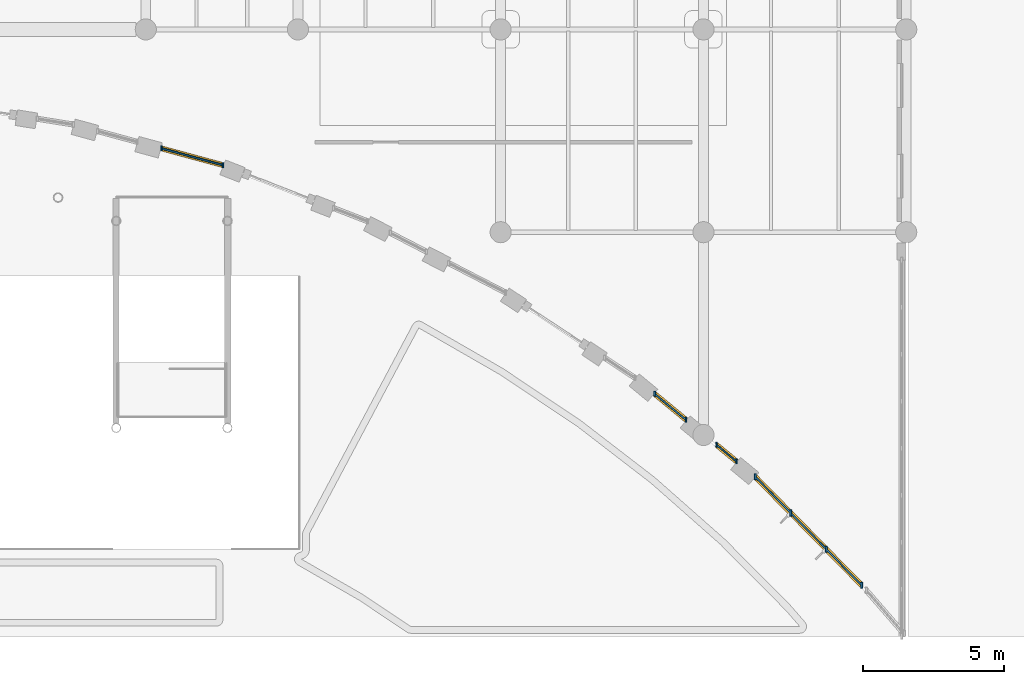
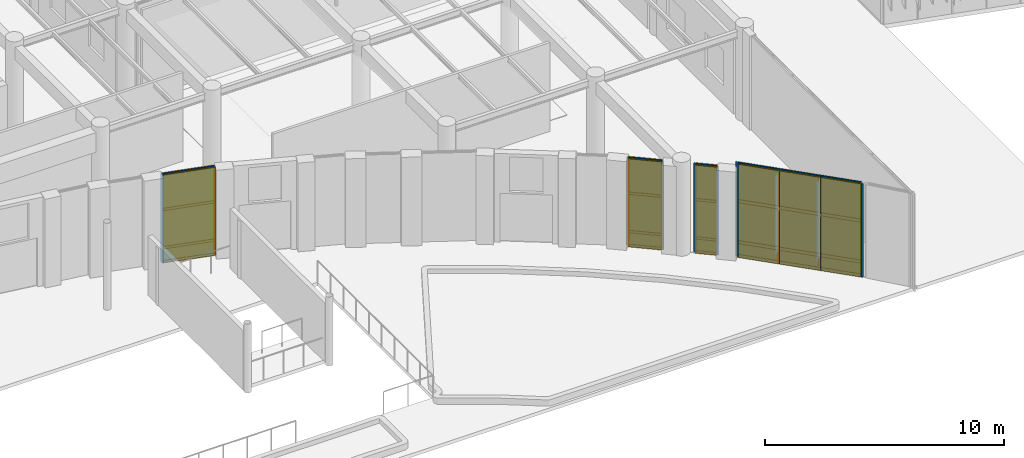
# One storey, part 78 of 122: 34 members, 18 plates, 4 curtain walls.
"""IFC4 building model written with IfcOpenShell, lengths in metres."""

from ifc_helpers import new_model, si_unit, direction, frame, frame_2d, origin, origin_2d, place, context, subcontext, project, spatial, rectangle, extrude, material, layer, layer_set, material_profile, profile_set, type_object, element, aggregate, save


model = new_model("IFC4")

# Units and contexts
model_context = context("Model", 3, precision=1e-05, world=origin(), true_north=direction((0.0, 1.0)))
body_context = subcontext(model_context, "Body", "Model", "MODEL_VIEW")
ifc_project = project(units=[si_unit("LENGTHUNIT", "METRE"), si_unit("AREAUNIT", "SQUARE_METRE"), si_unit("VOLUMEUNIT", "CUBIC_METRE"), si_unit("PLANEANGLEUNIT", "RADIAN"), si_unit("MASSUNIT", "GRAM", prefix="KILO")], contexts=[model_context])

# Member
ifc_material_1 = material(Name="Anodised Bronze Aluminium 6063-T6", Category="aluminium")
ifc_material_profile_1 = material_profile(ifc_material_1, rectangle(XDim=0.070068359375, YDim=0.219970703125, at=origin_2d()), Name="ALU MULLION 70x220")
ifc_profile_set_1 = profile_set([ifc_material_profile_1], Name="Anodised Bronze Aluminium 6063-T6")
member_type_1 = type_object("IfcMemberType", Name="Curtain-Wall Heavy Mullion 70x220", PredefinedType="MULLION", material=ifc_profile_set_1)
site_placement = place(None, origin())
building_placement = place(site_placement, origin())
storey_placement = place(building_placement, origin())
member_1_placement = place(storey_placement, frame((111.641845703125, 7.11328125, 0.0), z_axis=(0.0, 0.0, 1.0), x_axis=(1.0, 0.0, 0.0)))
member_1 = element("IfcMember", 1, at=member_1_placement, type_object=member_type_1, Name="Mullion CWM-02 CW-V5-CRN-L00-C17-M01", PredefinedType="MULLION", context=body_context, shape_type="SweptSolid", body=[
    extrude(rectangle(XDim=0.070068359375, YDim=0.219970703125, at=origin_2d()), origin(), (0.0, 0.0, 1.0), 4.780029296875),
])

member_2_placement = place(storey_placement, frame((112.89990234375, 5.830810546875, 0.0), z_axis=(0.0, 0.0, 1.0), x_axis=(1.0, 0.0, 0.0)))
member_2 = element("IfcMember", 2, at=member_2_placement, type_object=member_type_1, Name="Mullion CWM-02 CW-V5-CRN-L00-C17-M02", PredefinedType="MULLION", context=body_context, shape_type="SweptSolid", body=[
    extrude(rectangle(XDim=0.070068359375, YDim=0.219970703125, at=origin_2d()), origin(), (0.0, 0.0, 1.0), 4.780029296875),
])

member_3_placement = place(storey_placement, frame((114.157958984375, 4.548095703125, 0.0), z_axis=(0.0, 0.0, 1.0), x_axis=(1.0, 0.0, 0.0)))
member_3 = element("IfcMember", 3, at=member_3_placement, type_object=member_type_1, Name="Mullion CWM-02 CW-V5-CRN-L00-C17-M03", PredefinedType="MULLION", context=body_context, shape_type="SweptSolid", body=[
    extrude(rectangle(XDim=0.070068359375, YDim=0.219970703125, at=origin_2d()), origin(), (0.0, 0.0, 1.0), 4.780029296875),
])

member_4_placement = place(storey_placement, frame((115.416015625, 3.265380859375, 0.0), z_axis=(0.0, 0.0, 1.0), x_axis=(1.0, 0.0, 0.0)))
member_4 = element("IfcMember", 4, at=member_4_placement, type_object=member_type_1, Name="Mullion CWM-02 CW-V5-CRN-L00-C17-M04", PredefinedType="MULLION", context=body_context, shape_type="SweptSolid", body=[
    extrude(rectangle(XDim=0.070068359375, YDim=0.219970703125, at=origin_2d()), origin(), (0.0, 0.0, 1.0), 4.780029296875),
])

ifc_material_profile_2 = material_profile(ifc_material_1, rectangle(XDim=0.06005859375, YDim=0.159912109375, at=origin_2d()), Name="ALU TRANSOM 60x160")
ifc_profile_set_2 = profile_set([ifc_material_profile_2], Name="Anodised Bronze Aluminium 6063-T6")
member_type_2 = type_object("IfcMemberType", Name="Curtain-Wall Heavy Transom 60x160", PredefinedType="USERDEFINED", material=ifc_profile_set_2)
member_5_placement = place(storey_placement, frame((111.666259765625, 7.08837890625, 0.0400390625), z_axis=(0.700287657852, -0.713860768119, 0.0), x_axis=(0.713860768119, 0.700287657852, 0.0)))
member_5 = element("IfcMember", 5, at=member_5_placement, type_object=member_type_2, Name="Transom CWT-02 CW-V5-CRN-L00-C17-T01.1", ObjectType="TRANSOM", PredefinedType="USERDEFINED", context=body_context, shape_type="SweptSolid", body=[
    extrude(rectangle(XDim=0.06005859375, YDim=0.159912109375, at=origin_2d()), origin(), (0.0, 0.0, 1.0), 1.726806640625),
])

member_6_placement = place(storey_placement, frame((111.666259765625, 7.08837890625, 0.75), z_axis=(0.700287657852, -0.713860768119, 0.0), x_axis=(0.713860768119, 0.700287657852, 0.0)))
member_6 = element("IfcMember", 6, at=member_6_placement, type_object=member_type_2, Name="Transom CWT-02 CW-V5-CRN-L00-C17-T01.2", ObjectType="TRANSOM", PredefinedType="USERDEFINED", context=body_context, shape_type="SweptSolid", body=[
    extrude(rectangle(XDim=0.06005859375, YDim=0.159912109375, at=origin_2d()), origin(), (0.0, 0.0, 1.0), 1.726806640625),
])

member_7_placement = place(storey_placement, frame((111.666259765625, 7.08837890625, 2.845703125), z_axis=(0.700287657852, -0.713860768119, 0.0), x_axis=(0.713860768119, 0.700287657852, 0.0)))
member_7 = element("IfcMember", 7, at=member_7_placement, type_object=member_type_2, Name="Transom CWT-02 CW-V5-CRN-L00-C17-T01.3", ObjectType="TRANSOM", PredefinedType="USERDEFINED", context=body_context, shape_type="SweptSolid", body=[
    extrude(rectangle(XDim=0.06005859375, YDim=0.159912109375, at=origin_2d()), origin(), (0.0, 0.0, 1.0), 1.726806640625),
])

member_8_placement = place(storey_placement, frame((111.666259765625, 7.08837890625, 4.739990234375), z_axis=(0.700287657852, -0.713860768119, 0.0), x_axis=(0.713860768119, 0.700287657852, 0.0)))
member_8 = element("IfcMember", 8, at=member_8_placement, type_object=member_type_2, Name="Transom CWT-02 CW-V5-CRN-L00-C17-T01.4", ObjectType="TRANSOM", PredefinedType="USERDEFINED", context=body_context, shape_type="SweptSolid", body=[
    extrude(rectangle(XDim=0.06005859375, YDim=0.159912109375, at=origin_2d()), origin(), (0.0, 0.0, 1.0), 1.726806640625),
])

member_9_placement = place(storey_placement, frame((112.92431640625, 5.8056640625, 0.0400390625), z_axis=(0.700215596953, -0.71393145174, 0.0), x_axis=(0.71393145174, 0.700215596953, 0.0)))
member_9 = element("IfcMember", 9, at=member_9_placement, type_object=member_type_2, Name="Transom CWT-02 CW-V5-CRN-L00-C17-T02.1", ObjectType="TRANSOM", PredefinedType="USERDEFINED", context=body_context, shape_type="SweptSolid", body=[
    extrude(rectangle(XDim=0.06005859375, YDim=0.159912109375, at=origin_2d()), origin(), (0.0, 0.0, 1.0), 1.7265625),
])

member_10_placement = place(storey_placement, frame((112.92431640625, 5.8056640625, 0.75), z_axis=(0.700215596953, -0.71393145174, 0.0), x_axis=(0.71393145174, 0.700215596953, 0.0)))
member_10 = element("IfcMember", 10, at=member_10_placement, type_object=member_type_2, Name="Transom CWT-02 CW-V5-CRN-L00-C17-T02.2", ObjectType="TRANSOM", PredefinedType="USERDEFINED", context=body_context, shape_type="SweptSolid", body=[
    extrude(rectangle(XDim=0.06005859375, YDim=0.159912109375, at=origin_2d()), origin(), (0.0, 0.0, 1.0), 1.7265625),
])

member_11_placement = place(storey_placement, frame((112.92431640625, 5.8056640625, 2.845703125), z_axis=(0.700215596953, -0.71393145174, 0.0), x_axis=(0.71393145174, 0.700215596953, 0.0)))
member_11 = element("IfcMember", 11, at=member_11_placement, type_object=member_type_2, Name="Transom CWT-02 CW-V5-CRN-L00-C17-T02.3", ObjectType="TRANSOM", PredefinedType="USERDEFINED", context=body_context, shape_type="SweptSolid", body=[
    extrude(rectangle(XDim=0.06005859375, YDim=0.159912109375, at=origin_2d()), origin(), (0.0, 0.0, 1.0), 1.7265625),
])

member_12_placement = place(storey_placement, frame((112.92431640625, 5.8056640625, 4.739990234375), z_axis=(0.700215596953, -0.71393145174, 0.0), x_axis=(0.71393145174, 0.700215596953, 0.0)))
member_12 = element("IfcMember", 12, at=member_12_placement, type_object=member_type_2, Name="Transom CWT-02 CW-V5-CRN-L00-C17-T02.4", ObjectType="TRANSOM", PredefinedType="USERDEFINED", context=body_context, shape_type="SweptSolid", body=[
    extrude(rectangle(XDim=0.06005859375, YDim=0.159912109375, at=origin_2d()), origin(), (0.0, 0.0, 1.0), 1.7265625),
])

member_13_placement = place(storey_placement, frame((114.182373046875, 4.523193359375, 0.0400390625), z_axis=(0.700287657852, -0.713860768119, 0.0), x_axis=(0.713860768119, 0.700287657852, 0.0)))
member_13 = element("IfcMember", 13, at=member_13_placement, type_object=member_type_2, Name="Transom CWT-02 CW-V5-CRN-L00-C17-T03.1", ObjectType="TRANSOM", PredefinedType="USERDEFINED", context=body_context, shape_type="SweptSolid", body=[
    extrude(rectangle(XDim=0.06005859375, YDim=0.159912109375, at=origin_2d()), origin(), (0.0, 0.0, 1.0), 1.726806640625),
])

member_14_placement = place(storey_placement, frame((114.182373046875, 4.523193359375, 0.75), z_axis=(0.700287657852, -0.713860768119, 0.0), x_axis=(0.713860768119, 0.700287657852, 0.0)))
member_14 = element("IfcMember", 14, at=member_14_placement, type_object=member_type_2, Name="Transom CWT-02 CW-V5-CRN-L00-C17-T03.2", ObjectType="TRANSOM", PredefinedType="USERDEFINED", context=body_context, shape_type="SweptSolid", body=[
    extrude(rectangle(XDim=0.06005859375, YDim=0.159912109375, at=origin_2d()), origin(), (0.0, 0.0, 1.0), 1.726806640625),
])

member_15_placement = place(storey_placement, frame((114.182373046875, 4.523193359375, 2.845703125), z_axis=(0.700287657852, -0.713860768119, 0.0), x_axis=(0.713860768119, 0.700287657852, 0.0)))
member_15 = element("IfcMember", 15, at=member_15_placement, type_object=member_type_2, Name="Transom CWT-02 CW-V5-CRN-L00-C17-T03.3", ObjectType="TRANSOM", PredefinedType="USERDEFINED", context=body_context, shape_type="SweptSolid", body=[
    extrude(rectangle(XDim=0.06005859375, YDim=0.159912109375, at=origin_2d()), origin(), (0.0, 0.0, 1.0), 1.726806640625),
])

member_16_placement = place(storey_placement, frame((114.182373046875, 4.523193359375, 4.739990234375), z_axis=(0.700287657852, -0.713860768119, 0.0), x_axis=(0.713860768119, 0.700287657852, 0.0)))
member_16 = element("IfcMember", 16, at=member_16_placement, type_object=member_type_2, Name="Transom CWT-02 CW-V5-CRN-L00-C17-T03.4", ObjectType="TRANSOM", PredefinedType="USERDEFINED", context=body_context, shape_type="SweptSolid", body=[
    extrude(rectangle(XDim=0.06005859375, YDim=0.159912109375, at=origin_2d()), origin(), (0.0, 0.0, 1.0), 1.726806640625),
])

ifc_material_profile_3 = material_profile(ifc_material_1, rectangle(XDim=0.06005859375, YDim=0.1201171875, at=origin_2d()), Name="ALU TRANSOM 60x120")
ifc_profile_set_3 = profile_set([ifc_material_profile_3], Name="Anodised Bronze Aluminium 6063-T6")
member_type_3 = type_object("IfcMemberType", Name="Curtain-Wall Light Transom 60x120", PredefinedType="USERDEFINED", material=ifc_profile_set_3)
member_17_placement = place(storey_placement, frame((90.58837890625, 18.766845703125, 0.0400390625), z_axis=(0.96508649626, -0.261931393188, 0.0), x_axis=(0.261931393188, 0.96508649626, 0.0)))
member_17 = element("IfcMember", 17, at=member_17_placement, type_object=member_type_3, Name="Transom CWT-03 CW-V5-SLOT-C12-2-T01.1", ObjectType="TRANSOM", PredefinedType="USERDEFINED", context=body_context, shape_type="SweptSolid", body=[
    extrude(rectangle(XDim=0.06005859375, YDim=0.1201171875, at=origin_2d()), origin(), (0.0, 0.0, 1.0), 2.195068359375),
])

member_18_placement = place(storey_placement, frame((90.58837890625, 18.766845703125, 0.75), z_axis=(0.96508649626, -0.261931393188, 0.0), x_axis=(0.261931393188, 0.96508649626, 0.0)))
member_18 = element("IfcMember", 18, at=member_18_placement, type_object=member_type_3, Name="Transom CWT-03 CW-V5-SLOT-C12-2-T01.2", ObjectType="TRANSOM", PredefinedType="USERDEFINED", context=body_context, shape_type="SweptSolid", body=[
    extrude(rectangle(XDim=0.06005859375, YDim=0.1201171875, at=origin_2d()), origin(), (0.0, 0.0, 1.0), 2.195068359375),
])

member_19_placement = place(storey_placement, frame((90.58837890625, 18.766845703125, 2.71044921875), z_axis=(0.96508649626, -0.261931393188, 0.0), x_axis=(0.261931393188, 0.96508649626, 0.0)))
member_19 = element("IfcMember", 19, at=member_19_placement, type_object=member_type_3, Name="Transom CWT-03 CW-V5-SLOT-C12-2-T01.3", ObjectType="TRANSOM", PredefinedType="USERDEFINED", context=body_context, shape_type="SweptSolid", body=[
    extrude(rectangle(XDim=0.06005859375, YDim=0.1201171875, at=origin_2d()), origin(), (0.0, 0.0, 1.0), 2.195068359375),
])

member_20_placement = place(storey_placement, frame((90.58837890625, 18.766845703125, 4.47998046875), z_axis=(0.96508649626, -0.261931393188, 0.0), x_axis=(0.261931393188, 0.96508649626, 0.0)))
member_20 = element("IfcMember", 20, at=member_20_placement, type_object=member_type_3, Name="Transom CWT-03 CW-V5-SLOT-C12-2-T01.4", ObjectType="TRANSOM", PredefinedType="USERDEFINED", context=body_context, shape_type="SweptSolid", body=[
    extrude(rectangle(XDim=0.06005859375, YDim=0.1201171875, at=origin_2d()), origin(), (0.0, 0.0, 1.0), 2.195068359375),
])

member_21_placement = place(storey_placement, frame((108.09521484375, 10.03466796875, 0.0400390625), z_axis=(0.771832845721, -0.635825493565, 0.0), x_axis=(0.635825493565, 0.771832845721, 0.0)))
member_21 = element("IfcMember", 21, at=member_21_placement, type_object=member_type_3, Name="Transom CWT-03 CW-V5-SLOT-C16-1-T01.1", ObjectType="TRANSOM", PredefinedType="USERDEFINED", context=body_context, shape_type="SweptSolid", body=[
    extrude(rectangle(XDim=0.06005859375, YDim=0.1201171875, at=origin_2d()), origin(), (0.0, 0.0, 1.0), 1.375),
])

member_22_placement = place(storey_placement, frame((108.09521484375, 10.03466796875, 0.75), z_axis=(0.771832845721, -0.635825493565, 0.0), x_axis=(0.635825493565, 0.771832845721, 0.0)))
member_22 = element("IfcMember", 22, at=member_22_placement, type_object=member_type_3, Name="Transom CWT-03 CW-V5-SLOT-C16-1-T01.2", ObjectType="TRANSOM", PredefinedType="USERDEFINED", context=body_context, shape_type="SweptSolid", body=[
    extrude(rectangle(XDim=0.06005859375, YDim=0.1201171875, at=origin_2d()), origin(), (0.0, 0.0, 1.0), 1.375),
])

member_23_placement = place(storey_placement, frame((108.09521484375, 10.03466796875, 2.71044921875), z_axis=(0.771832845721, -0.635825493565, 0.0), x_axis=(0.635825493565, 0.771832845721, 0.0)))
member_23 = element("IfcMember", 23, at=member_23_placement, type_object=member_type_3, Name="Transom CWT-03 CW-V5-SLOT-C16-1-T01.3", ObjectType="TRANSOM", PredefinedType="USERDEFINED", context=body_context, shape_type="SweptSolid", body=[
    extrude(rectangle(XDim=0.06005859375, YDim=0.1201171875, at=origin_2d()), origin(), (0.0, 0.0, 1.0), 1.375),
])

member_24_placement = place(storey_placement, frame((108.09521484375, 10.03466796875, 4.47998046875), z_axis=(0.771832845721, -0.635825493565, 0.0), x_axis=(0.635825493565, 0.771832845721, 0.0)))
member_24 = element("IfcMember", 24, at=member_24_placement, type_object=member_type_3, Name="Transom CWT-03 CW-V5-SLOT-C16-1-T01.4", ObjectType="TRANSOM", PredefinedType="USERDEFINED", context=body_context, shape_type="SweptSolid", body=[
    extrude(rectangle(XDim=0.06005859375, YDim=0.1201171875, at=origin_2d()), origin(), (0.0, 0.0, 1.0), 1.375),
])

member_25_placement = place(storey_placement, frame((110.2880859375, 8.228515625, 0.0400390625), z_axis=(0.771774307282, -0.635896547105, 0.0), x_axis=(0.635896547105, 0.771774307282, 0.0)))
member_25 = element("IfcMember", 25, at=member_25_placement, type_object=member_type_3, Name="Transom CWT-03 CW-V5-SLOT-C16-2-T01.1", ObjectType="TRANSOM", PredefinedType="USERDEFINED", context=body_context, shape_type="SweptSolid", body=[
    extrude(rectangle(XDim=0.06005859375, YDim=0.1201171875, at=origin_2d()), origin(), (0.0, 0.0, 1.0), 0.85888671875),
])

member_26_placement = place(storey_placement, frame((110.2880859375, 8.228515625, 0.75), z_axis=(0.771774307282, -0.635896547105, 0.0), x_axis=(0.635896547105, 0.771774307282, 0.0)))
member_26 = element("IfcMember", 26, at=member_26_placement, type_object=member_type_3, Name="Transom CWT-03 CW-V5-SLOT-C16-2-T01.2", ObjectType="TRANSOM", PredefinedType="USERDEFINED", context=body_context, shape_type="SweptSolid", body=[
    extrude(rectangle(XDim=0.06005859375, YDim=0.1201171875, at=origin_2d()), origin(), (0.0, 0.0, 1.0), 0.85888671875),
])

member_27_placement = place(storey_placement, frame((110.2880859375, 8.228515625, 2.71044921875), z_axis=(0.771774307282, -0.635896547105, 0.0), x_axis=(0.635896547105, 0.771774307282, 0.0)))
member_27 = element("IfcMember", 27, at=member_27_placement, type_object=member_type_3, Name="Transom CWT-03 CW-V5-SLOT-C16-2-T01.3", ObjectType="TRANSOM", PredefinedType="USERDEFINED", context=body_context, shape_type="SweptSolid", body=[
    extrude(rectangle(XDim=0.06005859375, YDim=0.1201171875, at=origin_2d()), origin(), (0.0, 0.0, 1.0), 0.85888671875),
])

member_28_placement = place(storey_placement, frame((110.2880859375, 8.228515625, 4.47998046875), z_axis=(0.771774307282, -0.635896547105, 0.0), x_axis=(0.635896547105, 0.771774307282, 0.0)))
member_28 = element("IfcMember", 28, at=member_28_placement, type_object=member_type_3, Name="Transom CWT-03 CW-V5-SLOT-C16-2-T01.4", ObjectType="TRANSOM", PredefinedType="USERDEFINED", context=body_context, shape_type="SweptSolid", body=[
    extrude(rectangle(XDim=0.06005859375, YDim=0.1201171875, at=origin_2d()), origin(), (0.0, 0.0, 1.0), 0.85888671875),
])

ifc_material_profile_4 = material_profile(ifc_material_1, rectangle(XDim=0.06005859375, YDim=0.179931640625, at=origin_2d()), Name="ALU MULLION 60x180")
ifc_profile_set_4 = profile_set([ifc_material_profile_4], Name="Anodised Bronze Aluminium 6063-T6")
member_type_4 = type_object("IfcMemberType", Name="Curtain-Wall Primary Mullion 60x180", PredefinedType="MULLION", material=ifc_profile_set_4)
member_29_placement = place(storey_placement, frame((90.5546875, 18.77587890625, 0.0), z_axis=(0.0, 0.0, 1.0), x_axis=(1.0, 0.0, 0.0)))
member_29 = element("IfcMember", 29, at=member_29_placement, type_object=member_type_4, Name="Mullion CWM-01 CW-V5-SLOT-C12-2-M01", PredefinedType="MULLION", context=body_context, shape_type="SweptSolid", body=[
    extrude(rectangle(XDim=0.06005859375, YDim=0.179931640625, at=origin_2d()), origin(), (0.0, 0.0, 1.0), 4.52001953125),
])

member_30_placement = place(storey_placement, frame((92.740478515625, 18.1826171875, 0.0), z_axis=(0.0, 0.0, 1.0), x_axis=(1.0, 0.0, 0.0)))
member_30 = element("IfcMember", 30, at=member_30_placement, type_object=member_type_4, Name="Mullion CWM-01 CW-V5-SLOT-C12-2-M02", PredefinedType="MULLION", context=body_context, shape_type="SweptSolid", body=[
    extrude(rectangle(XDim=0.06005859375, YDim=0.179931640625, at=origin_2d()), origin(), (0.0, 0.0, 1.0), 4.52001953125),
])

member_31_placement = place(storey_placement, frame((108.068115234375, 10.056884765625, 0.0), z_axis=(0.0, 0.0, 1.0), x_axis=(1.0, 0.0, 0.0)))
member_31 = element("IfcMember", 31, at=member_31_placement, type_object=member_type_4, Name="Mullion CWM-01 CW-V5-SLOT-C16-1-M01", PredefinedType="MULLION", context=body_context, shape_type="SweptSolid", body=[
    extrude(rectangle(XDim=0.06005859375, YDim=0.179931640625, at=origin_2d()), origin(), (0.0, 0.0, 1.0), 4.52001953125),
])

member_32_placement = place(storey_placement, frame((109.18359375, 9.13818359375, 0.0), z_axis=(0.0, 0.0, 1.0), x_axis=(1.0, 0.0, 0.0)))
member_32 = element("IfcMember", 32, at=member_32_placement, type_object=member_type_4, Name="Mullion CWM-01 CW-V5-SLOT-C16-1-M02", PredefinedType="MULLION", context=body_context, shape_type="SweptSolid", body=[
    extrude(rectangle(XDim=0.06005859375, YDim=0.179931640625, at=origin_2d()), origin(), (0.0, 0.0, 1.0), 4.52001953125),
])

member_33_placement = place(storey_placement, frame((110.260986328125, 8.250732421875, 0.0), z_axis=(0.0, 0.0, 1.0), x_axis=(1.0, 0.0, 0.0)))
member_33 = element("IfcMember", 33, at=member_33_placement, type_object=member_type_4, Name="Mullion CWM-01 CW-V5-SLOT-C16-2-M01", PredefinedType="MULLION", context=body_context, shape_type="SweptSolid", body=[
    extrude(rectangle(XDim=0.06005859375, YDim=0.179931640625, at=origin_2d()), origin(), (0.0, 0.0, 1.0), 4.52001953125),
])

member_34_placement = place(storey_placement, frame((110.97802734375, 7.66015625, 0.0), z_axis=(0.0, 0.0, 1.0), x_axis=(1.0, 0.0, 0.0)))
member_34 = element("IfcMember", 34, at=member_34_placement, type_object=member_type_4, Name="Mullion CWM-01 CW-V5-SLOT-C16-2-M02", PredefinedType="MULLION", context=body_context, shape_type="SweptSolid", body=[
    extrude(rectangle(XDim=0.06005859375, YDim=0.179931640625, at=origin_2d()), origin(), (0.0, 0.0, 1.0), 4.52001953125),
])

# Plate
ifc_material_2 = material(Name="Double Low-E Acoustic Laminated Glass", Category="glass")
ifc_layer_1 = layer(ifc_material_2, 0.0439453125, Name="Double Low-E Acoustic Laminated Glass")
ifc_layer_set_1 = layer_set([ifc_layer_1], Name="Double Low-E Acoustic Laminated Glass")
plate_type_1 = type_object("IfcPlateType", Name="Acoustic Laminated Low-E Glazing Unit 44", PredefinedType="CURTAIN_PANEL", material=ifc_layer_set_1)
plate_1_placement = place(storey_placement, frame((91.647705078125, 18.4794921875, 0.780029296875), z_axis=(0.0, 0.0, 1.0), x_axis=(0.965082816503, -0.261944950878, 0.0)))
plate_1 = element("IfcPlate", 35, at=plate_1_placement, type_object=plate_type_1, Name="Curtain Panel CWP-01 CW-V5-SLOT-C12-2-P01.2", PredefinedType="CURTAIN_PANEL", context=body_context, shape_type="SweptSolid", body=[
    extrude(rectangle(XDim=2.195068359375, YDim=0.0439453125, at=origin_2d()), origin(), (0.0, 0.0, 1.0), 1.900390625),
])

plate_2_placement = place(storey_placement, frame((91.647705078125, 18.4794921875, 2.740234375), z_axis=(0.0, 0.0, 1.0), x_axis=(0.965082816503, -0.261944950878, 0.0)))
plate_2 = element("IfcPlate", 36, at=plate_2_placement, type_object=plate_type_1, Name="Curtain Panel CWP-01 CW-V5-SLOT-C12-2-P01.3", PredefinedType="CURTAIN_PANEL", context=body_context, shape_type="SweptSolid", body=[
    extrude(rectangle(XDim=2.195068359375, YDim=0.0439453125, at=origin_2d()), origin(), (0.0, 0.0, 1.0), 1.709716796875),
])

plate_3_placement = place(storey_placement, frame((108.625732421875, 9.59765625, 0.780029296875), z_axis=(0.0, 0.0, 1.0), x_axis=(0.771856556725, -0.635796709524, 0.0)))
plate_3 = element("IfcPlate", 37, at=plate_3_placement, type_object=plate_type_1, Name="Curtain Panel CWP-01 CW-V5-SLOT-C16-1-P01.2", PredefinedType="CURTAIN_PANEL", context=body_context, shape_type="SweptSolid", body=[
    extrude(rectangle(XDim=1.375, YDim=0.0439453125, at=origin_2d()), origin(), (0.0, 0.0, 1.0), 1.900390625),
])

plate_4_placement = place(storey_placement, frame((108.625732421875, 9.59765625, 2.740234375), z_axis=(0.0, 0.0, 1.0), x_axis=(0.771856556725, -0.635796709524, 0.0)))
plate_4 = element("IfcPlate", 38, at=plate_4_placement, type_object=plate_type_1, Name="Curtain Panel CWP-01 CW-V5-SLOT-C16-1-P01.3", PredefinedType="CURTAIN_PANEL", context=body_context, shape_type="SweptSolid", body=[
    extrude(rectangle(XDim=1.375, YDim=0.0439453125, at=origin_2d()), origin(), (0.0, 0.0, 1.0), 1.709716796875),
])

plate_5_placement = place(storey_placement, frame((110.619384765625, 7.955322265625, 0.780029296875), z_axis=(0.0, 0.0, 1.0), x_axis=(0.771862105068, -0.63578997378, 0.0)))
plate_5 = element("IfcPlate", 39, at=plate_5_placement, type_object=plate_type_1, Name="Curtain Panel CWP-01 CW-V5-SLOT-C16-2-P01.2", PredefinedType="CURTAIN_PANEL", context=body_context, shape_type="SweptSolid", body=[
    extrude(rectangle(XDim=0.85888671875, YDim=0.0439453125, at=origin_2d()), origin(), (0.0, 0.0, 1.0), 1.900390625),
])

plate_6_placement = place(storey_placement, frame((110.619384765625, 7.955322265625, 2.740234375), z_axis=(0.0, 0.0, 1.0), x_axis=(0.771862105068, -0.63578997378, 0.0)))
plate_6 = element("IfcPlate", 40, at=plate_6_placement, type_object=plate_type_1, Name="Curtain Panel CWP-01 CW-V5-SLOT-C16-2-P01.3", PredefinedType="CURTAIN_PANEL", context=body_context, shape_type="SweptSolid", body=[
    extrude(rectangle(XDim=0.85888671875, YDim=0.0439453125, at=origin_2d()), origin(), (0.0, 0.0, 1.0), 1.709716796875),
])

plate_7_placement = place(storey_placement, frame((112.270751953125, 6.471923828125, 0.780029296875), z_axis=(0.0, 0.0, 1.0), x_axis=(0.700246698398, -0.713900946479, 0.0)))
plate_7 = element("IfcPlate", 41, at=plate_7_placement, type_object=plate_type_1, Name="Curtain Panel CWP-01 CW-V5-CRN-L00-C17-P01.2", PredefinedType="CURTAIN_PANEL", context=body_context, shape_type="SweptSolid", body=[
    extrude(rectangle(XDim=1.7265625, YDim=0.0439453125, at=origin_2d()), origin(), (0.0, 0.0, 1.0), 2.03564453125),
])

plate_8_placement = place(storey_placement, frame((112.270751953125, 6.471923828125, 2.87548828125), z_axis=(0.0, 0.0, 1.0), x_axis=(0.700246698398, -0.713900946479, 0.0)))
plate_8 = element("IfcPlate", 42, at=plate_8_placement, type_object=plate_type_1, Name="Curtain Panel CWP-01 CW-V5-CRN-L00-C17-P01.3", PredefinedType="CURTAIN_PANEL", context=body_context, shape_type="SweptSolid", body=[
    extrude(rectangle(XDim=1.7265625, YDim=0.0439453125, at=origin_2d()), origin(), (0.0, 0.0, 1.0), 1.83447265625),
])

plate_9_placement = place(storey_placement, frame((113.52880859375, 5.189453125, 0.780029296875), z_axis=(0.0, 0.0, 1.0), x_axis=(0.700246698398, -0.713900946479, 0.0)))
plate_9 = element("IfcPlate", 43, at=plate_9_placement, type_object=plate_type_1, Name="Curtain Panel CWP-01 CW-V5-CRN-L00-C17-P02.2", PredefinedType="CURTAIN_PANEL", context=body_context, shape_type="SweptSolid", body=[
    extrude(rectangle(XDim=1.7265625, YDim=0.0439453125, at=origin_2d()), origin(), (0.0, 0.0, 1.0), 2.03564453125),
])

plate_10_placement = place(storey_placement, frame((113.52880859375, 5.189453125, 2.87548828125), z_axis=(0.0, 0.0, 1.0), x_axis=(0.700246698398, -0.713900946479, 0.0)))
plate_10 = element("IfcPlate", 44, at=plate_10_placement, type_object=plate_type_1, Name="Curtain Panel CWP-01 CW-V5-CRN-L00-C17-P02.3", PredefinedType="CURTAIN_PANEL", context=body_context, shape_type="SweptSolid", body=[
    extrude(rectangle(XDim=1.7265625, YDim=0.0439453125, at=origin_2d()), origin(), (0.0, 0.0, 1.0), 1.83447265625),
])

plate_11_placement = place(storey_placement, frame((114.787109375, 3.90673828125, 0.780029296875), z_axis=(0.0, 0.0, 1.0), x_axis=(0.700246698398, -0.713900946479, 0.0)))
plate_11 = element("IfcPlate", 45, at=plate_11_placement, type_object=plate_type_1, Name="Curtain Panel CWP-01 CW-V5-CRN-L00-C17-P03.2", PredefinedType="CURTAIN_PANEL", context=body_context, shape_type="SweptSolid", body=[
    extrude(rectangle(XDim=1.7265625, YDim=0.0439453125, at=origin_2d()), origin(), (0.0, 0.0, 1.0), 2.03564453125),
])

plate_12_placement = place(storey_placement, frame((114.787109375, 3.90673828125, 2.87548828125), z_axis=(0.0, 0.0, 1.0), x_axis=(0.700246698398, -0.713900946479, 0.0)))
plate_12 = element("IfcPlate", 46, at=plate_12_placement, type_object=plate_type_1, Name="Curtain Panel CWP-01 CW-V5-CRN-L00-C17-P03.3", PredefinedType="CURTAIN_PANEL", context=body_context, shape_type="SweptSolid", body=[
    extrude(rectangle(XDim=1.7265625, YDim=0.0439453125, at=origin_2d()), origin(), (0.0, 0.0, 1.0), 1.83447265625),
])

ifc_material_3 = material(Name="Ceramic-Fritted Tempered Laminated Glass", Category="glass")
ifc_layer_2 = layer(ifc_material_3, 0.0458984375, Name="Ceramic-Fritted Tempered Laminated Glass")
ifc_layer_set_2 = layer_set([ifc_layer_2], Name="Ceramic-Fritted Tempered Laminated Glass")
plate_type_2 = type_object("IfcPlateType", Name="Ceramic-Frit Acoustic Spandrel Glazing 46", PredefinedType="CURTAIN_PANEL", material=ifc_layer_set_2)
plate_13_placement = place(storey_placement, frame((91.647705078125, 18.4794921875, 0.070068359375), z_axis=(0.0, 0.0, 1.0), x_axis=(0.965082816503, -0.261944950878, 0.0)))
plate_13 = element("IfcPlate", 47, at=plate_13_placement, type_object=plate_type_2, Name="Curtain Panel CWP-04 CW-V5-SLOT-C12-2-P01.1", PredefinedType="CURTAIN_PANEL", context=body_context, shape_type="SweptSolid", body=[
    extrude(rectangle(XDim=2.195068359375, YDim=0.0458984375, at=origin_2d()), origin(), (0.0, 0.0, 1.0), 0.64990234375),
])

plate_14_placement = place(storey_placement, frame((108.625732421875, 9.59765625, 0.070068359375), z_axis=(0.0, 0.0, 1.0), x_axis=(0.771856556725, -0.635796709524, 0.0)))
plate_14 = element("IfcPlate", 48, at=plate_14_placement, type_object=plate_type_2, Name="Curtain Panel CWP-04 CW-V5-SLOT-C16-1-P01.1", PredefinedType="CURTAIN_PANEL", context=body_context, shape_type="SweptSolid", body=[
    extrude(rectangle(XDim=1.375, YDim=0.0458984375, at=origin_2d()), origin(), (0.0, 0.0, 1.0), 0.64990234375),
])

plate_15_placement = place(storey_placement, frame((110.619384765625, 7.955322265625, 0.070068359375), z_axis=(0.0, 0.0, 1.0), x_axis=(0.771862105068, -0.63578997378, 0.0)))
plate_15 = element("IfcPlate", 49, at=plate_15_placement, type_object=plate_type_2, Name="Curtain Panel CWP-04 CW-V5-SLOT-C16-2-P01.1", PredefinedType="CURTAIN_PANEL", context=body_context, shape_type="SweptSolid", body=[
    extrude(rectangle(XDim=0.85888671875, YDim=0.0458984375, at=origin_2d()), origin(), (0.0, 0.0, 1.0), 0.64990234375),
])

plate_16_placement = place(storey_placement, frame((112.270751953125, 6.471923828125, 0.070068359375), z_axis=(0.0, 0.0, 1.0), x_axis=(0.700246698398, -0.713900946479, 0.0)))
plate_16 = element("IfcPlate", 50, at=plate_16_placement, type_object=plate_type_2, Name="Curtain Panel CWP-04 CW-V5-CRN-L00-C17-P01.1", PredefinedType="CURTAIN_PANEL", context=body_context, shape_type="SweptSolid", body=[
    extrude(rectangle(XDim=1.7265625, YDim=0.0458984375, at=origin_2d()), origin(), (0.0, 0.0, 1.0), 0.64990234375),
])

plate_17_placement = place(storey_placement, frame((113.52880859375, 5.189453125, 0.070068359375), z_axis=(0.0, 0.0, 1.0), x_axis=(0.700246698398, -0.713900946479, 0.0)))
plate_17 = element("IfcPlate", 51, at=plate_17_placement, type_object=plate_type_2, Name="Curtain Panel CWP-04 CW-V5-CRN-L00-C17-P02.1", PredefinedType="CURTAIN_PANEL", context=body_context, shape_type="SweptSolid", body=[
    extrude(rectangle(XDim=1.7265625, YDim=0.0458984375, at=origin_2d()), origin(), (0.0, 0.0, 1.0), 0.64990234375),
])

plate_18_placement = place(storey_placement, frame((114.787109375, 3.90673828125, 0.070068359375), z_axis=(0.0, 0.0, 1.0), x_axis=(0.700246698398, -0.713900946479, 0.0)))
plate_18 = element("IfcPlate", 52, at=plate_18_placement, type_object=plate_type_2, Name="Curtain Panel CWP-04 CW-V5-CRN-L00-C17-P03.1", PredefinedType="CURTAIN_PANEL", context=body_context, shape_type="SweptSolid", body=[
    extrude(rectangle(XDim=1.7265625, YDim=0.0458984375, at=origin_2d()), origin(), (0.0, 0.0, 1.0), 0.64990234375),
])

# Site, building, storey
site = spatial("IfcSite", under=ifc_project, at=site_placement, CompositionType="ELEMENT")
building = spatial("IfcBuilding", under=site, at=building_placement, Name="Tazoul Stagehouse", CompositionType="ELEMENT")
storey = spatial("IfcBuildingStorey", under=building, at=storey_placement, Name="L00", CompositionType="ELEMENT", Elevation=0.0)

# Curtain wall
curtain_wall_type_1 = type_object("IfcCurtainWallType", Name="Crescent Double-Skin Acoustic Curtain Wall", PredefinedType="NOTDEFINED", material=ifc_material_1)
curtain_wall_1_placement = place(storey_placement, frame((111.641845703125, 7.11328125, 0.0), z_axis=(0.0, 0.0, 1.0), x_axis=(0.700233974264, -0.713913427025, 0.0)))
curtain_wall_1 = element("IfcCurtainWall", 53, at=curtain_wall_1_placement, inside=storey, type_object=curtain_wall_type_1, Name="L00 Curtain Wall CW-01 (CW-V5-CRN-L00-C17)", PredefinedType="NOTDEFINED", context=body_context, shape_type="SweptSolid", body=[
    extrude(rectangle(XDim=5.389892578125, YDim=0.179931640625, at=frame_2d((2.69482421875, 0.0))), origin(), (0.0, 0.0, 1.0), 4.780029296875),
])

aggregate(curtain_wall_1, [member_1, member_2, member_3, member_4, member_5, member_6, member_7, member_8, plate_16, plate_7, plate_8, member_9, member_10, member_11, member_12, plate_17, plate_9, plate_10, member_13, member_14, member_15, member_16, plate_18, plate_11, plate_12])

curtain_wall_type_2 = type_object("IfcCurtainWallType", Name="Foyer Clear Solar-Control Curtain Wall", PredefinedType="NOTDEFINED", material=ifc_material_1)
curtain_wall_2_placement = place(storey_placement, frame((90.5546875, 18.77587890625, 0.0), z_axis=(0.0, 0.0, 1.0), x_axis=(0.965083999622, -0.261940591878, 0.0)))
curtain_wall_2 = element("IfcCurtainWall", 54, at=curtain_wall_2_placement, inside=storey, type_object=curtain_wall_type_2, Name="L00 Curtain Wall CW-02 (CW-V5-SLOT-C12-2)", PredefinedType="NOTDEFINED", context=body_context, shape_type="SweptSolid", body=[
    extrude(rectangle(XDim=2.264892578125, YDim=0.179931640625, at=frame_2d((1.13232421875, 0.0))), origin(), (0.0, 0.0, 1.0), 4.52001953125),
])

aggregate(curtain_wall_2, [member_29, member_30, member_17, member_18, member_19, member_20, plate_13, plate_1, plate_2])

curtain_wall_3_placement = place(storey_placement, frame((108.068115234375, 10.056884765625, 0.0), z_axis=(0.0, 0.0, 1.0), x_axis=(0.771905851357, -0.635736861163, 0.0)))
curtain_wall_3 = element("IfcCurtainWall", 55, at=curtain_wall_3_placement, inside=storey, type_object=curtain_wall_type_2, Name="L00 Curtain Wall CW-02 (CW-V5-SLOT-C16-1)", PredefinedType="NOTDEFINED", context=body_context, shape_type="SweptSolid", body=[
    extrude(rectangle(XDim=1.445068359375, YDim=0.179931640625, at=frame_2d((0.72265625, 0.0))), origin(), (0.0, 0.0, 1.0), 4.52001953125),
])

aggregate(curtain_wall_3, [member_31, member_32, member_21, member_22, member_23, member_24, plate_14, plate_3, plate_4])

curtain_wall_4_placement = place(storey_placement, frame((110.260986328125, 8.250732421875, 0.0), z_axis=(0.0, 0.0, 1.0), x_axis=(0.771892301953, -0.635753312368, 0.0)))
curtain_wall_4 = element("IfcCurtainWall", 56, at=curtain_wall_4_placement, inside=storey, type_object=curtain_wall_type_2, Name="L00 Curtain Wall CW-02 (CW-V5-SLOT-C16-2)", PredefinedType="NOTDEFINED", context=body_context, shape_type="SweptSolid", body=[
    extrude(rectangle(XDim=0.928955078125, YDim=0.179931640625, at=frame_2d((0.46435546875, 0.0))), origin(), (0.0, 0.0, 1.0), 4.52001953125),
])

aggregate(curtain_wall_4, [member_33, member_34, member_25, member_26, member_27, member_28, plate_15, plate_5, plate_6])

save(model, "model.ifc")
